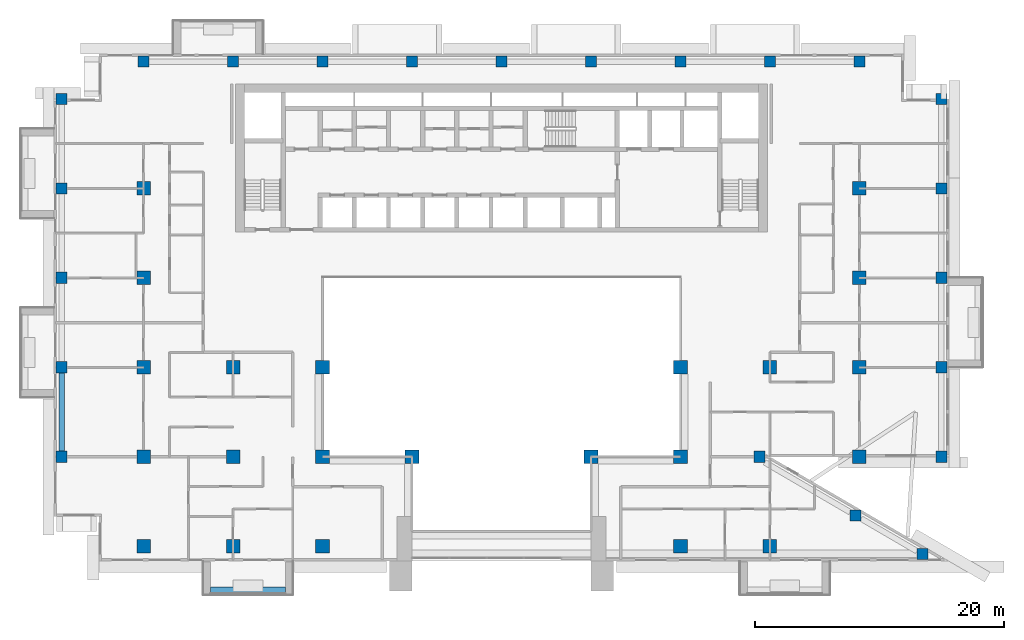
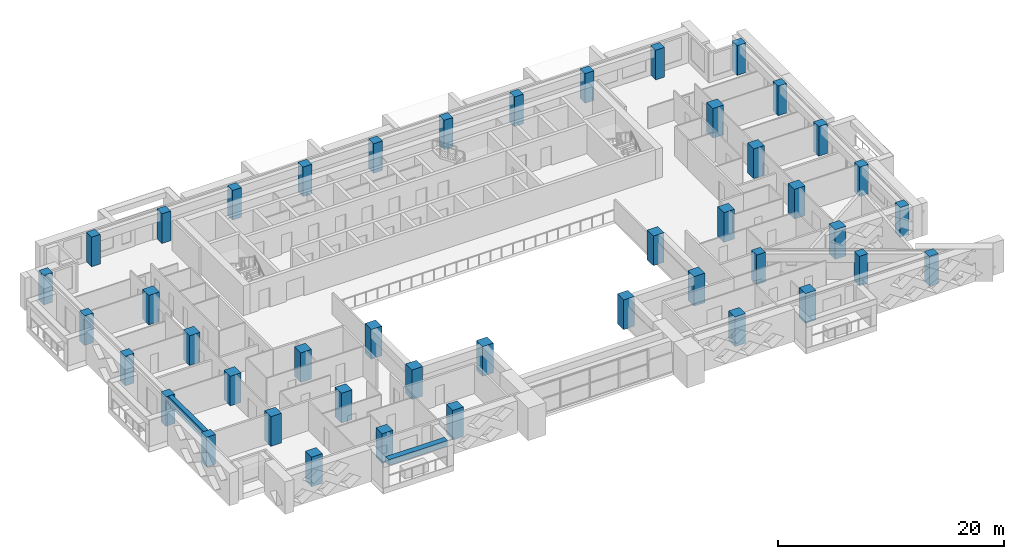
# One storey, part 1 of 20: 44 columns, 2 beams.
"""IFC4 building model written with IfcOpenShell, lengths in metres."""

from ifc_helpers import new_model, si_unit, direction, frame, origin, origin_2d, place, context, subcontext, project, spatial, rectangle, extrude, source, transform, mapped, material, material_profile, profile_set, type_object, element, save


model = new_model("IFC4")

# Units and contexts
model_context = context("Model", 3, precision=1e-05, world=origin(), true_north=direction((0.0, 1.0)))
body_context = subcontext(model_context, "Body", "Model", "MODEL_VIEW")
ifc_project = project(units=[si_unit("LENGTHUNIT", "METRE"), si_unit("AREAUNIT", "SQUARE_METRE"), si_unit("VOLUMEUNIT", "CUBIC_METRE"), si_unit("PLANEANGLEUNIT", "RADIAN"), si_unit("MASSUNIT", "GRAM", prefix="KILO")], contexts=[model_context])

# Site, building, storey
site_placement = place(None, origin())
site = spatial("IfcSite", under=ifc_project, at=site_placement, CompositionType="ELEMENT")
building_placement = place(site_placement, origin())
building = spatial("IfcBuilding", under=site, at=building_placement, Name="Saffron Iwan Residences", CompositionType="ELEMENT")
storey_placement = place(building_placement, frame((0.0, 0.0, 123.5)))
storey = spatial("IfcBuildingStorey", under=building, at=storey_placement, Name="L32", CompositionType="ELEMENT", Elevation=123.5)

# Columns
ifc_material_1 = material(Name="Concrete C50/60", Category="concrete")
ifc_material_profile_1 = material_profile(ifc_material_1, rectangle(XDim=1.10009765625, YDim=1.10009765625, at=origin_2d()), Name="RC 1100x1100")
ifc_profile_set_1 = profile_set([ifc_material_profile_1], Name="Concrete C50/60")
column_type_1 = type_object("IfcColumnType", Name="COL RC 1100x1100 C50/60 3200 HIGH", PredefinedType="COLUMN", material=ifc_profile_set_1)
shared_shape_1 = source(origin(), body_context, "Body", "SweptSolid", [
    extrude(rectangle(XDim=1.10009765625, YDim=1.10009765625, at=origin_2d()), origin(), (0.0, 0.0, 1.0), 3.199951171875),
])
for number, where, z_axis, x_axis, name in (
    (1, (21.60009765625, 40.800048828125, 0.0), (0.0, 0.0, 1.0), (1.0, 0.0, 0.0), "Column C049"),
    (2, (28.800048828125, 40.800048828125, 0.0), (0.0, 0.0, 1.0), (1.0, 0.0, 0.0), "Column C051"),
    (3, (36.0, 40.800048828125, 0.0), (0.0, 0.0, 1.0), (1.0, 0.0, 0.0), "Column C052"),
    (4, (64.800048828125, 40.800048828125, 0.0), (0.0, 0.0, 1.0), (1.0, 0.0, 0.0), "Column C055"),
    (5, (72.0, 40.800048828125, 0.0), (0.0, 0.0, 1.0), (1.0, 0.0, 0.0), "Column C056"),
    (6, (21.60009765625, 48.0, 0.0), (0.0, 0.0, 1.0), (1.0, 0.0, 0.0), "Column C063"),
    (7, (28.800048828125, 48.0, 0.0), (0.0, 0.0, 1.0), (1.0, 0.0, 0.0), "Column C064"),
    (8, (36.0, 48.0, 0.0), (0.0, 0.0, 1.0), (1.0, 0.0, 0.0), "Column C065"),
    (9, (43.199951171875, 48.0, 0.0), (0.0, 0.0, 1.0), (1.0, 0.0, 0.0), "Column C066"),
    (10, (57.60009765625, 48.0, 0.0), (0.0, 0.0, 1.0), (1.0, 0.0, 0.0), "Column C068"),
    (11, (64.800048828125, 48.0, 0.0), (0.0, 0.0, 1.0), (1.0, 0.0, 0.0), "Column C069"),
    (12, (79.199951171875, 48.0, 0.0), (0.0, 0.0, 1.0), (1.0, 0.0, 0.0), "Column C072"),
    (13, (21.60009765625, 55.199951171875, 0.0), (0.0, 0.0, 1.0), (1.0, 0.0, 0.0), "Column C079"),
    (14, (28.800048828125, 55.199951171875, 0.0), (0.0, 0.0, 1.0), (1.0, 0.0, 0.0), "Column C080"),
    (15, (36.0, 55.199951171875, 0.0), (0.0, 0.0, 1.0), (1.0, 0.0, 0.0), "Column C081"),
    (16, (64.800048828125, 55.199951171875, 0.0), (0.0, 0.0, 1.0), (1.0, 0.0, 0.0), "Column C082"),
    (17, (72.0, 55.199951171875, 0.0), (0.0, 0.0, 1.0), (1.0, 0.0, 0.0), "Column C083"),
    (18, (79.199951171875, 55.199951171875, 0.0), (0.0, 0.0, 1.0), (1.0, 0.0, 0.0), "Column C084"),
    (19, (21.60009765625, 62.39990234375, 0.0), (0.0, 0.0, 1.0), (1.0, 0.0, 0.0), "Column C091"),
    (20, (79.199951171875, 62.39990234375, 0.0), (0.0, 0.0, 1.0), (1.0, 0.0, 0.0), "Column C092"),
    (21, (21.60009765625, 69.60009765625, 0.0), (0.0, 0.0, 1.0), (1.0, 0.0, 0.0), "Column C099"),
    (22, (79.199951171875, 69.60009765625, 0.0), (0.0, 0.0, 1.0), (1.0, 0.0, 0.0), "Column C100"),
):
    element("IfcColumn", number, at=place(storey_placement, frame(where, z_axis=z_axis, x_axis=x_axis)), inside=storey, type_object=column_type_1, Name=name, PredefinedType="COLUMN", context=body_context, shape_type="MappedRepresentation", body=[
        mapped(shared_shape_1, transform((0.0, 0.0, 0.0))),
    ])
ifc_material_profile_2 = material_profile(ifc_material_1, rectangle(XDim=0.89990234375, YDim=0.89990234375, at=origin_2d()), Name="RC 900x900")
ifc_profile_set_2 = profile_set([ifc_material_profile_2], Name="Concrete C50/60")
column_type_2 = type_object("IfcColumnType", Name="COL RC 900x900 C50/60 3200 HIGH", PredefinedType="COLUMN", material=ifc_profile_set_2)
shared_shape_2 = source(origin(), body_context, "Body", "SweptSolid", [
    extrude(rectangle(XDim=0.89990234375, YDim=0.89990234375, at=origin_2d()), origin(), (0.0, 0.0, 1.0), 3.199951171875),
])
for number, where, z_axis, x_axis, name in (
    (23, (84.276123046875, 40.17431640625, 0.0), (0.0, 0.0, 1.0), (1.0, 0.0, 0.0), "Column C045"),
    (24, (78.897705078125, 43.28173828125, 0.0), (0.0, 0.0, 1.0), (1.0, 0.0, 0.0), "Column C058"),
    (25, (15.0, 48.0, 0.0), (0.0, 0.0, 1.0), (1.0, 0.0, 0.0), "Column C061"),
    (26, (71.14990234375, 48.0, 0.0), (0.0, 0.0, 1.0), (1.0, 0.0, 0.0), "Column C070"),
    (27, (85.800048828125, 48.0, 0.0), (0.0, 0.0, 1.0), (1.0, 0.0, 0.0), "Column C074"),
    (28, (15.0, 55.199951171875, 0.0), (0.0, 0.0, 1.0), (1.0, 0.0, 0.0), "Column C077"),
    (29, (85.800048828125, 55.199951171875, 0.0), (0.0, 0.0, 1.0), (1.0, 0.0, 0.0), "Column C086"),
    (30, (15.0, 62.39990234375, 0.0), (0.0, 0.0, 1.0), (1.0, 0.0, 0.0), "Column C089"),
    (31, (85.800048828125, 62.39990234375, 0.0), (0.0, 0.0, 1.0), (1.0, 0.0, 0.0), "Column C094"),
    (32, (15.0, 69.60009765625, 0.0), (0.0, 0.0, 1.0), (1.0, 0.0, 0.0), "Column C097"),
    (33, (85.800048828125, 69.60009765625, 0.0), (0.0, 0.0, 1.0), (1.0, 0.0, 0.0), "Column C102"),
    (34, (15.0, 76.800048828125, 0.0), (0.0, 0.0, 1.0), (1.0, 0.0, 0.0), "Column C105"),
    (35, (85.800048828125, 76.800048828125, 0.0), (0.0, 0.0, 1.0), (1.0, 0.0, 0.0), "Column C110"),
    (36, (21.60009765625, 79.800048828125, 0.0), (0.0, 0.0, 1.0), (1.0, 0.0, 0.0), "Column C113"),
    (37, (28.800048828125, 79.800048828125, 0.0), (0.0, 0.0, 1.0), (1.0, 0.0, 0.0), "Column C115"),
    (38, (36.0, 79.800048828125, 0.0), (0.0, 0.0, 1.0), (1.0, 0.0, 0.0), "Column C116"),
    (39, (43.199951171875, 79.800048828125, 0.0), (0.0, 0.0, 1.0), (1.0, 0.0, 0.0), "Column C117"),
    (40, (50.39990234375, 79.800048828125, 0.0), (0.0, 0.0, 1.0), (1.0, 0.0, 0.0), "Column C118"),
    (41, (57.60009765625, 79.800048828125, 0.0), (0.0, 0.0, 1.0), (1.0, 0.0, 0.0), "Column C119"),
    (42, (64.800048828125, 79.800048828125, 0.0), (0.0, 0.0, 1.0), (1.0, 0.0, 0.0), "Column C120"),
    (43, (72.0, 79.800048828125, 0.0), (0.0, 0.0, 1.0), (1.0, 0.0, 0.0), "Column C121"),
    (44, (79.199951171875, 79.800048828125, 0.0), (0.0, 0.0, 1.0), (1.0, 0.0, 0.0), "Column C123"),
):
    element("IfcColumn", number, at=place(storey_placement, frame(where, z_axis=z_axis, x_axis=x_axis)), inside=storey, type_object=column_type_2, Name=name, PredefinedType="COLUMN", context=body_context, shape_type="MappedRepresentation", body=[
        mapped(shared_shape_2, transform((0.0, 0.0, 0.0))),
    ])

# Beams
ifc_material_profile_3 = material_profile(ifc_material_1, rectangle(XDim=0.449951171875, YDim=0.89990234375, at=origin_2d()), Name="RC 450x900")
ifc_profile_set_3 = profile_set([ifc_material_profile_3], Name="Concrete C50/60")
beam_type_1 = type_object("IfcBeamType", Name="SPANDREL BEAM RC 450x900 C50/60 TOP 3200", PredefinedType="SPANDREL", material=ifc_profile_set_3)
shared_shape_3 = source(origin(), body_context, "Body", "SweptSolid", [
    extrude(rectangle(XDim=0.449951171875, YDim=0.89990234375, at=origin_2d()), origin(), (0.0, 0.0, 1.0), 6.300048828125),
])
beam_1_placement = place(storey_placement, frame((15.0, 48.449951171875, 2.75), z_axis=(0.0, 1.0, 0.0), x_axis=(-1.0, 0.0, 0.0)))
element("IfcBeam", 45, at=beam_1_placement, inside=storey, type_object=beam_type_1, Name="Spandrel beam", PredefinedType="SPANDREL", context=body_context, shape_type="MappedRepresentation", body=[
    mapped(shared_shape_3, transform((0.0, 0.0, 0.0))),
])
ifc_material_2 = material(Name="Concrete C50/60 white painted", Category="concrete")
ifc_material_profile_4 = material_profile(ifc_material_2, rectangle(XDim=0.60009765625, YDim=0.60009765625, at=origin_2d()), Name="BALCONY FASCIA BEAM 600 x 600")
ifc_profile_set_4 = profile_set([ifc_material_profile_4], Name="Concrete C50/60 white painted")
beam_type_2 = type_object("IfcBeamType", Name="BALCONY FASCIA BEAM 600 x 600", PredefinedType="BEAM", material=ifc_profile_set_4)
shared_shape_4 = source(origin(), body_context, "Body", "SweptSolid", [
    extrude(rectangle(XDim=0.60009765625, YDim=0.60009765625, at=origin_2d()), origin(), (0.0, 0.0, 1.0), 6.0),
])
beam_2_placement = place(storey_placement, frame((27.0, 37.199951171875, 2.550048828125), z_axis=(1.0, 0.0, 0.0), x_axis=(0.0, 1.0, 0.0)))
element("IfcBeam", 46, at=beam_2_placement, inside=storey, type_object=beam_type_2, Name="Balcony fascia beam L32 11-0", PredefinedType="BEAM", context=body_context, shape_type="MappedRepresentation", body=[
    mapped(shared_shape_4, transform((0.0, 0.0, 0.0))),
])

save(model, "model.ifc")
